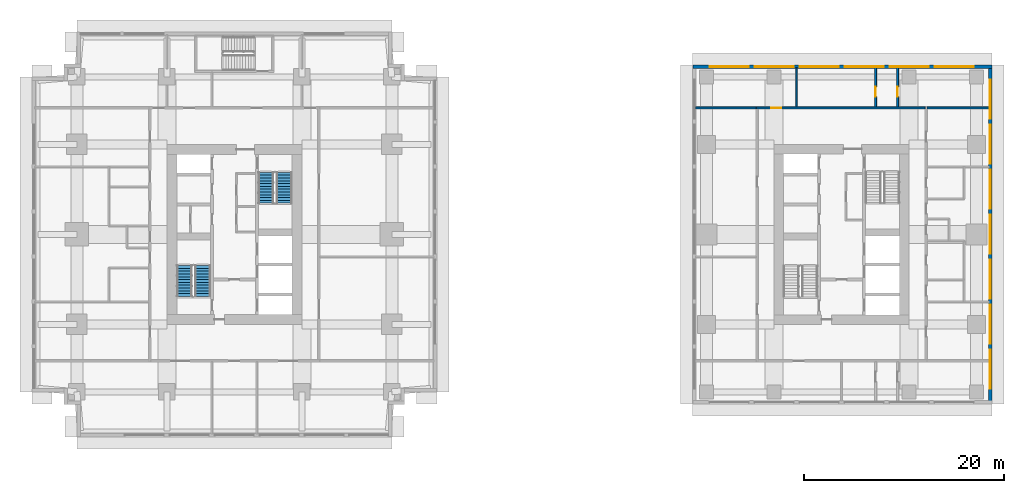
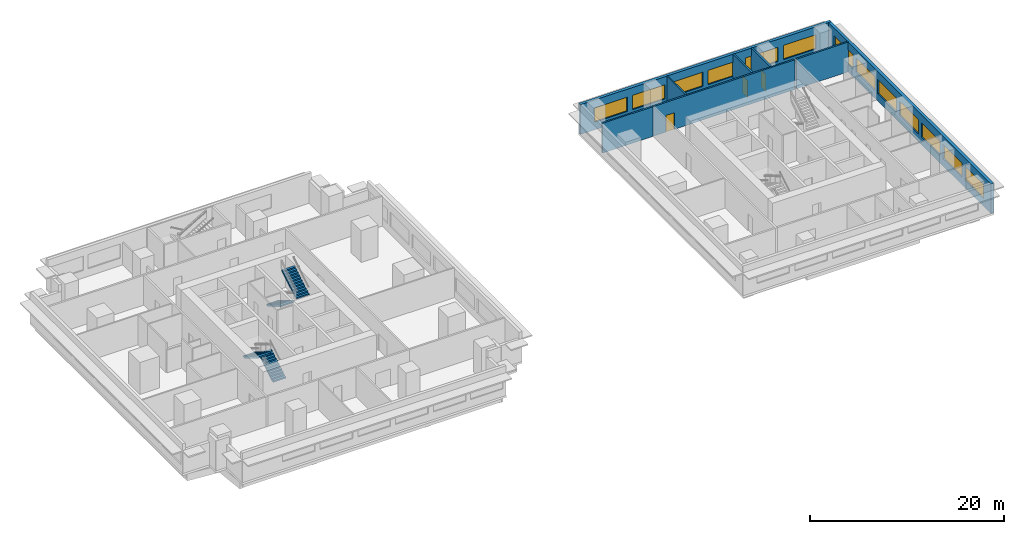
# One storey, part 8 of 11: 13 windows, 8 walls, 4 stair flights, 3 doors, 16 openings, 2 elements without a shape of their own.
"""IFC4 building model written with IfcOpenShell, lengths in metres."""

from ifc_helpers import new_model, si_unit, direction, frame, frame_2d, origin, place, context, subcontext, project, spatial, polyline, rectangle, outline, extrude, material, layer, layer_set, type_object, element, fill, aggregate, save


model = new_model("IFC4")

# Units and contexts
model_context = context("Model", 3, precision=1e-05, world=origin(), true_north=direction((0.0, 1.0)))
body_context = subcontext(model_context, "Body", "Model", "MODEL_VIEW")
ifc_project = project(units=[si_unit("LENGTHUNIT", "METRE"), si_unit("AREAUNIT", "SQUARE_METRE"), si_unit("VOLUMEUNIT", "CUBIC_METRE"), si_unit("PLANEANGLEUNIT", "RADIAN"), si_unit("MASSUNIT", "GRAM", prefix="KILO")], contexts=[model_context])

# Site, building, storey
site_placement = place(None, origin())
site = spatial("IfcSite", under=ifc_project, at=site_placement, CompositionType="ELEMENT")
building_placement = place(site_placement, origin())
building = spatial("IfcBuilding", under=site, at=building_placement, Name="Namib Vertical Campus", CompositionType="ELEMENT")
storey_placement = place(building_placement, frame((0.0, 0.0, 189.0)))
storey = spatial("IfcBuildingStorey", under=building, at=storey_placement, Name="L44", CompositionType="ELEMENT", Elevation=189.0)

# Wall, opening, door
ifc_material_1 = material(Name="Concrete masonry", Category="masonry")
ifc_layer_1 = layer(ifc_material_1, 0.199951171875)
ifc_layer_set_1 = layer_set([ifc_layer_1], Name="Corridor wall 200")
wall_type_1 = type_object("IfcWallType", Name="Corridor wall 200", PredefinedType="SOLIDWALL", material=ifc_layer_set_1)
wall_1_placement = place(storey_placement, frame((89.35009765625, 32.89990234375, 0.0), z_axis=(0.0, 0.0, 1.0), x_axis=(-1.0, 0.0, 0.0)))
wall_1 = element("IfcWall", 1, at=wall_1_placement, inside=storey, type_object=wall_type_1, Name="Corridor wall B L44 CN", PredefinedType="SOLIDWALL", context=body_context, shape_type="SweptSolid", body=[
    extrude(rectangle(XDim=16.900146484375, YDim=0.199951171875, at=frame_2d((8.4501953125, 0.0))), origin(), (0.0, 0.0, 1.0), 3.75),
])
opening_1_placement = place(wall_1_placement, frame((14.375, 0.0, 0.0)))
opening_1 = element("IfcOpeningElement", 2, at=opening_1_placement, cuts=wall_1, Name="Opening CD1", PredefinedType="OPENING", context=body_context, shape_type="SweptSolid", body=[
    extrude(rectangle(XDim=1.0, YDim=2.10009765625, at=frame_2d((0.5, 1.050048828125))), frame((0.0, 0.10986328125, 0.0), z_axis=(0.0, -1.0, 0.0), x_axis=(1.0, 0.0, 0.0)), (0.0, 0.0, 1.0), 0.219970703125),
])
ifc_material_2 = material(Name="Timber fire door leaf", Category="wood")
door_type = type_object("IfcDoorType", Name="Corridor door 1000x2100 20 min", OperationType="SINGLE_SWING_LEFT", PredefinedType="DOOR", material=ifc_material_2)
door_1_placement = place(opening_1_placement, frame((1.0, 0.0, 0.0), z_axis=(0.0, 0.0, 1.0), x_axis=(-1.0, 0.0, 0.0)))
door_1 = element("IfcDoor", 3, at=door_1_placement, inside=storey, type_object=door_type, Name="Door CD1 B44-11", OperationType="SINGLE_SWING_RIGHT", OverallHeight=2.10009765625, OverallWidth=1.0, PredefinedType="DOOR", context=body_context, shape_type="SweptSolid", body=[
    extrude(rectangle(XDim=1.0, YDim=2.10009765625, at=frame_2d((0.5, 1.050048828125))), frame((0.0, 0.02490234375, 0.0), z_axis=(0.0, -1.0, 0.0), x_axis=(1.0, 0.0, 0.0)), (0.0, 0.0, 1.0), 0.050048828125),
])
fill(opening_1, door_1)

wall_2_placement = place(storey_placement, frame((84.39990234375, 33.0, 0.0), z_axis=(0.0, 0.0, 1.0), x_axis=(0.0, 1.0, 0.0)))
wall_2 = element("IfcWall", 4, at=wall_2_placement, inside=storey, type_object=wall_type_1, Name="Corridor wall B L44 SPN1", PredefinedType="SOLIDWALL", context=body_context, shape_type="SweptSolid", body=[
    extrude(rectangle(XDim=3.89990234375, YDim=0.199951171875, at=frame_2d((1.949951171875, 0.0))), origin(), (0.0, 0.0, 1.0), 3.75),
])
opening_2_placement = place(wall_2_placement, frame((1.0, 0.0, 0.0)))
opening_2 = element("IfcOpeningElement", 5, at=opening_2_placement, cuts=wall_2, Name="Opening CD1", PredefinedType="OPENING", context=body_context, shape_type="SweptSolid", body=[
    extrude(rectangle(XDim=1.0, YDim=2.10009765625, at=frame_2d((0.5, 1.050048828125))), frame((0.0, 0.10986328125, 0.0), z_axis=(0.0, -1.0, 0.0), x_axis=(1.0, 0.0, 0.0)), (0.0, 0.0, 1.0), 0.219970703125),
])
door_2_placement = place(opening_2_placement, origin())
door_2 = element("IfcDoor", 6, at=door_2_placement, inside=storey, type_object=door_type, Name="Door CD1 B44-12", OperationType="SINGLE_SWING_LEFT", OverallHeight=2.10009765625, OverallWidth=1.0, PredefinedType="DOOR", context=body_context, shape_type="SweptSolid", body=[
    extrude(rectangle(XDim=1.0, YDim=2.10009765625, at=frame_2d((0.5, 1.050048828125))), frame((0.0, 0.02490234375, 0.0), z_axis=(0.0, -1.0, 0.0), x_axis=(1.0, 0.0, 0.0)), (0.0, 0.0, 1.0), 0.050048828125),
])
fill(opening_2, door_2)

wall_3_placement = place(storey_placement, frame((86.60009765625, 36.89990234375, 0.0), z_axis=(0.0, 0.0, 1.0), x_axis=(0.0, -1.0, 0.0)))
wall_3 = element("IfcWall", 7, at=wall_3_placement, inside=storey, type_object=wall_type_1, Name="Corridor wall B L44 SPN2", PredefinedType="SOLIDWALL", context=body_context, shape_type="SweptSolid", body=[
    extrude(rectangle(XDim=3.89990234375, YDim=0.199951171875, at=frame_2d((1.949951171875, 0.0))), origin(), (0.0, 0.0, 1.0), 3.75),
])
opening_3_placement = place(wall_3_placement, frame((1.89990234375, 0.0, 0.0)))
opening_3 = element("IfcOpeningElement", 8, at=opening_3_placement, cuts=wall_3, Name="Opening CD1", PredefinedType="OPENING", context=body_context, shape_type="SweptSolid", body=[
    extrude(rectangle(XDim=1.0, YDim=2.10009765625, at=frame_2d((0.5, 1.050048828125))), frame((0.0, 0.10986328125, 0.0), z_axis=(0.0, -1.0, 0.0), x_axis=(1.0, 0.0, 0.0)), (0.0, 0.0, 1.0), 0.219970703125),
])
door_3_placement = place(opening_3_placement, origin())
door_3 = element("IfcDoor", 9, at=door_3_placement, inside=storey, type_object=door_type, Name="Door CD1 B44-13", OperationType="SINGLE_SWING_RIGHT", OverallHeight=2.10009765625, OverallWidth=1.0, PredefinedType="DOOR", context=body_context, shape_type="SweptSolid", body=[
    extrude(rectangle(XDim=1.0, YDim=2.10009765625, at=frame_2d((0.5, 1.050048828125))), frame((0.0, 0.02490234375, 0.0), z_axis=(0.0, -1.0, 0.0), x_axis=(1.0, 0.0, 0.0)), (0.0, 0.0, 1.0), 0.050048828125),
])
fill(opening_3, door_3)

# Walls
wall_4_placement = place(storey_placement, frame((66.39990234375, 32.89990234375, 0.0), z_axis=(0.0, 0.0, 1.0), x_axis=(1.0, 0.0, 0.0)))
element("IfcWall", 10, at=wall_4_placement, inside=storey, type_object=wall_type_1, Name="Partition B L44 BNW", PredefinedType="SOLIDWALL", context=body_context, shape_type="SweptSolid", body=[
    extrude(rectangle(XDim=6.050048828125, YDim=0.199951171875, at=frame_2d((3.02490234375, 0.0))), origin(), (0.0, 0.0, 1.0), 3.75),
])
wall_5_placement = place(storey_placement, frame((89.550048828125, 32.89990234375, 0.0), z_axis=(0.0, 0.0, 1.0), x_axis=(1.0, 0.0, 0.0)))
element("IfcWall", 11, at=wall_5_placement, inside=storey, type_object=wall_type_1, Name="Partition B L44 BNE", PredefinedType="SOLIDWALL", context=body_context, shape_type="SweptSolid", body=[
    extrude(rectangle(XDim=6.199951171875, YDim=0.199951171875, at=frame_2d((3.10009765625, 0.0))), origin(), (0.0, 0.0, 1.0), 3.75),
])

# Wall, openings, windows
ifc_material_3 = material(Name="Concrete C40/50", Category="concrete")
ifc_layer_2 = layer(ifc_material_3, 0.35009765625)
ifc_layer_set_2 = layer_set([ifc_layer_2], Name="Concrete C40/50")
wall_type_2 = type_object("IfcWallType", Name="External wall 350 bush-hammered concrete", PredefinedType="STANDARD", material=ifc_layer_set_2)
wall_6_placement = place(storey_placement, frame((95.875, 3.320068359375, 0.0), z_axis=(0.0, 0.0, 1.0), x_axis=(0.0, 1.0, 0.0)))
wall_6 = element("IfcWall", 12, at=wall_6_placement, inside=storey, type_object=wall_type_2, Name="External wall L44 F02", PredefinedType="STANDARD", context=body_context, shape_type="SweptSolid", body=[
    extrude(rectangle(XDim=33.85986328125, YDim=0.35009765625, at=frame_2d((16.929931640625, 0.0))), origin(), (0.0, 0.0, 1.0), 3.75),
])
opening_4_placement = place(wall_6_placement, frame((1.47998046875, 0.0, 0.949951171875)))
opening_4 = element("IfcOpeningElement", 13, at=opening_4_placement, cuts=wall_6, Name="Opening W3", PredefinedType="OPENING", context=body_context, shape_type="SweptSolid", body=[
    extrude(rectangle(XDim=3.89990234375, YDim=1.800048828125, at=frame_2d((1.949951171875, 0.89990234375))), frame((0.0, 0.18505859375, 0.0), z_axis=(0.0, -1.0, 0.0), x_axis=(1.0, 0.0, 0.0)), (0.0, 0.0, 1.0), 0.3701171875),
])
opening_5_placement = place(wall_6_placement, frame((5.97998046875, 0.0, 0.949951171875)))
opening_5 = element("IfcOpeningElement", 14, at=opening_5_placement, cuts=wall_6, Name="Opening W3", PredefinedType="OPENING", context=body_context, shape_type="SweptSolid", body=[
    extrude(rectangle(XDim=3.89990234375, YDim=1.800048828125, at=frame_2d((1.949951171875, 0.89990234375))), frame((0.0, 0.18505859375, 0.0), z_axis=(0.0, -1.0, 0.0), x_axis=(1.0, 0.0, 0.0)), (0.0, 0.0, 1.0), 0.3701171875),
])
opening_6_placement = place(wall_6_placement, frame((10.47998046875, 0.0, 0.949951171875)))
opening_6 = element("IfcOpeningElement", 15, at=opening_6_placement, cuts=wall_6, Name="Opening W3", PredefinedType="OPENING", context=body_context, shape_type="SweptSolid", body=[
    extrude(rectangle(XDim=3.89990234375, YDim=1.800048828125, at=frame_2d((1.949951171875, 0.89990234375))), frame((0.0, 0.18505859375, 0.0), z_axis=(0.0, -1.0, 0.0), x_axis=(1.0, 0.0, 0.0)), (0.0, 0.0, 1.0), 0.3701171875),
])
opening_7_placement = place(wall_6_placement, frame((14.97998046875, 0.0, 0.949951171875)))
opening_7 = element("IfcOpeningElement", 16, at=opening_7_placement, cuts=wall_6, Name="Opening W3", PredefinedType="OPENING", context=body_context, shape_type="SweptSolid", body=[
    extrude(rectangle(XDim=3.89990234375, YDim=1.800048828125, at=frame_2d((1.949951171875, 0.89990234375))), frame((0.0, 0.18505859375, 0.0), z_axis=(0.0, -1.0, 0.0), x_axis=(1.0, 0.0, 0.0)), (0.0, 0.0, 1.0), 0.3701171875),
])
opening_8_placement = place(wall_6_placement, frame((19.47998046875, 0.0, 0.949951171875)))
opening_8 = element("IfcOpeningElement", 17, at=opening_8_placement, cuts=wall_6, Name="Opening W3", PredefinedType="OPENING", context=body_context, shape_type="SweptSolid", body=[
    extrude(rectangle(XDim=3.89990234375, YDim=1.800048828125, at=frame_2d((1.949951171875, 0.89990234375))), frame((0.0, 0.18505859375, 0.0), z_axis=(0.0, -1.0, 0.0), x_axis=(1.0, 0.0, 0.0)), (0.0, 0.0, 1.0), 0.3701171875),
])
opening_9_placement = place(wall_6_placement, frame((23.97998046875, 0.0, 0.949951171875)))
opening_9 = element("IfcOpeningElement", 18, at=opening_9_placement, cuts=wall_6, Name="Opening W3", PredefinedType="OPENING", context=body_context, shape_type="SweptSolid", body=[
    extrude(rectangle(XDim=3.89990234375, YDim=1.800048828125, at=frame_2d((1.949951171875, 0.89990234375))), frame((0.0, 0.18505859375, 0.0), z_axis=(0.0, -1.0, 0.0), x_axis=(1.0, 0.0, 0.0)), (0.0, 0.0, 1.0), 0.3701171875),
])
opening_10_placement = place(wall_6_placement, frame((28.47998046875, 0.0, 0.949951171875)))
opening_10 = element("IfcOpeningElement", 19, at=opening_10_placement, cuts=wall_6, Name="Opening W3", PredefinedType="OPENING", context=body_context, shape_type="SweptSolid", body=[
    extrude(rectangle(XDim=3.89990234375, YDim=1.800048828125, at=frame_2d((1.949951171875, 0.89990234375))), frame((0.0, 0.18505859375, 0.0), z_axis=(0.0, -1.0, 0.0), x_axis=(1.0, 0.0, 0.0)), (0.0, 0.0, 1.0), 0.3701171875),
])
ifc_material_4 = material(Name="Dark tinted glass in black aluminium frame", Category="aluminium")
window_type = type_object("IfcWindowType", Name="Ribbon window 3900x1800", PartitioningType="SINGLE_PANEL", PredefinedType="WINDOW", material=ifc_material_4)
window_1_placement = place(opening_4_placement, origin())
window_1 = element("IfcWindow", 20, at=window_1_placement, inside=storey, type_object=window_type, Name="Window W3 L44 F02-1", OverallHeight=1.800048828125, OverallWidth=3.89990234375, PartitioningType="SINGLE_PANEL", PredefinedType="WINDOW", context=body_context, shape_type="SweptSolid", body=[
    extrude(rectangle(XDim=3.89990234375, YDim=1.800048828125, at=frame_2d((1.949951171875, 0.89990234375))), frame((0.0, 0.030029296875, 0.0), z_axis=(0.0, -1.0, 0.0), x_axis=(1.0, 0.0, 0.0)), (0.0, 0.0, 1.0), 0.06005859375),
])
fill(opening_4, window_1)
window_2_placement = place(opening_5_placement, origin())
window_2 = element("IfcWindow", 21, at=window_2_placement, inside=storey, type_object=window_type, Name="Window W3 L44 F02-2", OverallHeight=1.800048828125, OverallWidth=3.89990234375, PartitioningType="SINGLE_PANEL", PredefinedType="WINDOW", context=body_context, shape_type="SweptSolid", body=[
    extrude(rectangle(XDim=3.89990234375, YDim=1.800048828125, at=frame_2d((1.949951171875, 0.89990234375))), frame((0.0, 0.030029296875, 0.0), z_axis=(0.0, -1.0, 0.0), x_axis=(1.0, 0.0, 0.0)), (0.0, 0.0, 1.0), 0.06005859375),
])
fill(opening_5, window_2)
window_3_placement = place(opening_6_placement, origin())
window_3 = element("IfcWindow", 22, at=window_3_placement, inside=storey, type_object=window_type, Name="Window W3 L44 F02-3", OverallHeight=1.800048828125, OverallWidth=3.89990234375, PartitioningType="SINGLE_PANEL", PredefinedType="WINDOW", context=body_context, shape_type="SweptSolid", body=[
    extrude(rectangle(XDim=3.89990234375, YDim=1.800048828125, at=frame_2d((1.949951171875, 0.89990234375))), frame((0.0, 0.030029296875, 0.0), z_axis=(0.0, -1.0, 0.0), x_axis=(1.0, 0.0, 0.0)), (0.0, 0.0, 1.0), 0.06005859375),
])
fill(opening_6, window_3)
window_4_placement = place(opening_7_placement, origin())
window_4 = element("IfcWindow", 23, at=window_4_placement, inside=storey, type_object=window_type, Name="Window W3 L44 F02-4", OverallHeight=1.800048828125, OverallWidth=3.89990234375, PartitioningType="SINGLE_PANEL", PredefinedType="WINDOW", context=body_context, shape_type="SweptSolid", body=[
    extrude(rectangle(XDim=3.89990234375, YDim=1.800048828125, at=frame_2d((1.949951171875, 0.89990234375))), frame((0.0, 0.030029296875, 0.0), z_axis=(0.0, -1.0, 0.0), x_axis=(1.0, 0.0, 0.0)), (0.0, 0.0, 1.0), 0.06005859375),
])
fill(opening_7, window_4)
window_5_placement = place(opening_8_placement, origin())
window_5 = element("IfcWindow", 24, at=window_5_placement, inside=storey, type_object=window_type, Name="Window W3 L44 F02-5", OverallHeight=1.800048828125, OverallWidth=3.89990234375, PartitioningType="SINGLE_PANEL", PredefinedType="WINDOW", context=body_context, shape_type="SweptSolid", body=[
    extrude(rectangle(XDim=3.89990234375, YDim=1.800048828125, at=frame_2d((1.949951171875, 0.89990234375))), frame((0.0, 0.030029296875, 0.0), z_axis=(0.0, -1.0, 0.0), x_axis=(1.0, 0.0, 0.0)), (0.0, 0.0, 1.0), 0.06005859375),
])
fill(opening_8, window_5)
window_6_placement = place(opening_9_placement, origin())
window_6 = element("IfcWindow", 25, at=window_6_placement, inside=storey, type_object=window_type, Name="Window W3 L44 F02-6", OverallHeight=1.800048828125, OverallWidth=3.89990234375, PartitioningType="SINGLE_PANEL", PredefinedType="WINDOW", context=body_context, shape_type="SweptSolid", body=[
    extrude(rectangle(XDim=3.89990234375, YDim=1.800048828125, at=frame_2d((1.949951171875, 0.89990234375))), frame((0.0, 0.030029296875, 0.0), z_axis=(0.0, -1.0, 0.0), x_axis=(1.0, 0.0, 0.0)), (0.0, 0.0, 1.0), 0.06005859375),
])
fill(opening_9, window_6)
window_7_placement = place(opening_10_placement, origin())
window_7 = element("IfcWindow", 26, at=window_7_placement, inside=storey, type_object=window_type, Name="Window W3 L44 F02-7", OverallHeight=1.800048828125, OverallWidth=3.89990234375, PartitioningType="SINGLE_PANEL", PredefinedType="WINDOW", context=body_context, shape_type="SweptSolid", body=[
    extrude(rectangle(XDim=3.89990234375, YDim=1.800048828125, at=frame_2d((1.949951171875, 0.89990234375))), frame((0.0, 0.030029296875, 0.0), z_axis=(0.0, -1.0, 0.0), x_axis=(1.0, 0.0, 0.0)), (0.0, 0.0, 1.0), 0.06005859375),
])
fill(opening_10, window_7)

wall_7_placement = place(storey_placement, frame((96.030029296875, 37.02490234375, 0.0), z_axis=(0.0, 0.0, 1.0), x_axis=(-1.0, 0.0, 0.0)))
wall_7 = element("IfcWall", 27, at=wall_7_placement, inside=storey, type_object=wall_type_2, Name="External wall L44 F03", PredefinedType="STANDARD", context=body_context, shape_type="SweptSolid", body=[
    extrude(rectangle(XDim=29.909912109375, YDim=0.35009765625, at=frame_2d((14.955078125, 0.0))), origin(), (0.0, 0.0, 1.0), 3.75),
])
opening_11_placement = place(wall_7_placement, frame((24.330078125, 0.0, 0.949951171875)))
opening_11 = element("IfcOpeningElement", 28, at=opening_11_placement, cuts=wall_7, Name="Opening W3", PredefinedType="OPENING", context=body_context, shape_type="SweptSolid", body=[
    extrude(rectangle(XDim=3.89990234375, YDim=1.800048828125, at=frame_2d((1.949951171875, 0.89990234375))), frame((0.0, 0.18505859375, 0.0), z_axis=(0.0, -1.0, 0.0), x_axis=(1.0, 0.0, 0.0)), (0.0, 0.0, 1.0), 0.3701171875),
])
opening_12_placement = place(wall_7_placement, frame((19.830078125, 0.0, 0.949951171875)))
opening_12 = element("IfcOpeningElement", 29, at=opening_12_placement, cuts=wall_7, Name="Opening W3", PredefinedType="OPENING", context=body_context, shape_type="SweptSolid", body=[
    extrude(rectangle(XDim=3.89990234375, YDim=1.800048828125, at=frame_2d((1.949951171875, 0.89990234375))), frame((0.0, 0.18505859375, 0.0), z_axis=(0.0, -1.0, 0.0), x_axis=(1.0, 0.0, 0.0)), (0.0, 0.0, 1.0), 0.3701171875),
])
opening_13_placement = place(wall_7_placement, frame((15.330078125, 0.0, 0.949951171875)))
opening_13 = element("IfcOpeningElement", 30, at=opening_13_placement, cuts=wall_7, Name="Opening W3", PredefinedType="OPENING", context=body_context, shape_type="SweptSolid", body=[
    extrude(rectangle(XDim=3.89990234375, YDim=1.800048828125, at=frame_2d((1.949951171875, 0.89990234375))), frame((0.0, 0.18505859375, 0.0), z_axis=(0.0, -1.0, 0.0), x_axis=(1.0, 0.0, 0.0)), (0.0, 0.0, 1.0), 0.3701171875),
])
opening_14_placement = place(wall_7_placement, frame((10.830078125, 0.0, 0.949951171875)))
opening_14 = element("IfcOpeningElement", 31, at=opening_14_placement, cuts=wall_7, Name="Opening W3", PredefinedType="OPENING", context=body_context, shape_type="SweptSolid", body=[
    extrude(rectangle(XDim=3.89990234375, YDim=1.800048828125, at=frame_2d((1.949951171875, 0.89990234375))), frame((0.0, 0.18505859375, 0.0), z_axis=(0.0, -1.0, 0.0), x_axis=(1.0, 0.0, 0.0)), (0.0, 0.0, 1.0), 0.3701171875),
])
opening_15_placement = place(wall_7_placement, frame((6.330078125, 0.0, 0.949951171875)))
opening_15 = element("IfcOpeningElement", 32, at=opening_15_placement, cuts=wall_7, Name="Opening W3", PredefinedType="OPENING", context=body_context, shape_type="SweptSolid", body=[
    extrude(rectangle(XDim=3.89990234375, YDim=1.800048828125, at=frame_2d((1.949951171875, 0.89990234375))), frame((0.0, 0.18505859375, 0.0), z_axis=(0.0, -1.0, 0.0), x_axis=(1.0, 0.0, 0.0)), (0.0, 0.0, 1.0), 0.3701171875),
])
opening_16_placement = place(wall_7_placement, frame((1.830078125, 0.0, 0.949951171875)))
opening_16 = element("IfcOpeningElement", 33, at=opening_16_placement, cuts=wall_7, Name="Opening W3", PredefinedType="OPENING", context=body_context, shape_type="SweptSolid", body=[
    extrude(rectangle(XDim=3.89990234375, YDim=1.800048828125, at=frame_2d((1.949951171875, 0.89990234375))), frame((0.0, 0.18505859375, 0.0), z_axis=(0.0, -1.0, 0.0), x_axis=(1.0, 0.0, 0.0)), (0.0, 0.0, 1.0), 0.3701171875),
])
window_8_placement = place(opening_11_placement, origin())
window_8 = element("IfcWindow", 34, at=window_8_placement, inside=storey, type_object=window_type, Name="Window W3 L44 F03-1", OverallHeight=1.800048828125, OverallWidth=3.89990234375, PartitioningType="SINGLE_PANEL", PredefinedType="WINDOW", context=body_context, shape_type="SweptSolid", body=[
    extrude(rectangle(XDim=3.89990234375, YDim=1.800048828125, at=frame_2d((1.949951171875, 0.89990234375))), frame((0.0, 0.030029296875, 0.0), z_axis=(0.0, -1.0, 0.0), x_axis=(1.0, 0.0, 0.0)), (0.0, 0.0, 1.0), 0.06005859375),
])
fill(opening_11, window_8)
window_9_placement = place(opening_12_placement, origin())
window_9 = element("IfcWindow", 35, at=window_9_placement, inside=storey, type_object=window_type, Name="Window W3 L44 F03-2", OverallHeight=1.800048828125, OverallWidth=3.89990234375, PartitioningType="SINGLE_PANEL", PredefinedType="WINDOW", context=body_context, shape_type="SweptSolid", body=[
    extrude(rectangle(XDim=3.89990234375, YDim=1.800048828125, at=frame_2d((1.949951171875, 0.89990234375))), frame((0.0, 0.030029296875, 0.0), z_axis=(0.0, -1.0, 0.0), x_axis=(1.0, 0.0, 0.0)), (0.0, 0.0, 1.0), 0.06005859375),
])
fill(opening_12, window_9)
window_10_placement = place(opening_13_placement, origin())
window_10 = element("IfcWindow", 36, at=window_10_placement, inside=storey, type_object=window_type, Name="Window W3 L44 F03-3", OverallHeight=1.800048828125, OverallWidth=3.89990234375, PartitioningType="SINGLE_PANEL", PredefinedType="WINDOW", context=body_context, shape_type="SweptSolid", body=[
    extrude(rectangle(XDim=3.89990234375, YDim=1.800048828125, at=frame_2d((1.949951171875, 0.89990234375))), frame((0.0, 0.030029296875, 0.0), z_axis=(0.0, -1.0, 0.0), x_axis=(1.0, 0.0, 0.0)), (0.0, 0.0, 1.0), 0.06005859375),
])
fill(opening_13, window_10)
window_11_placement = place(opening_14_placement, origin())
window_11 = element("IfcWindow", 37, at=window_11_placement, inside=storey, type_object=window_type, Name="Window W3 L44 F03-4", OverallHeight=1.800048828125, OverallWidth=3.89990234375, PartitioningType="SINGLE_PANEL", PredefinedType="WINDOW", context=body_context, shape_type="SweptSolid", body=[
    extrude(rectangle(XDim=3.89990234375, YDim=1.800048828125, at=frame_2d((1.949951171875, 0.89990234375))), frame((0.0, 0.030029296875, 0.0), z_axis=(0.0, -1.0, 0.0), x_axis=(1.0, 0.0, 0.0)), (0.0, 0.0, 1.0), 0.06005859375),
])
fill(opening_14, window_11)
window_12_placement = place(opening_15_placement, origin())
window_12 = element("IfcWindow", 38, at=window_12_placement, inside=storey, type_object=window_type, Name="Window W3 L44 F03-5", OverallHeight=1.800048828125, OverallWidth=3.89990234375, PartitioningType="SINGLE_PANEL", PredefinedType="WINDOW", context=body_context, shape_type="SweptSolid", body=[
    extrude(rectangle(XDim=3.89990234375, YDim=1.800048828125, at=frame_2d((1.949951171875, 0.89990234375))), frame((0.0, 0.030029296875, 0.0), z_axis=(0.0, -1.0, 0.0), x_axis=(1.0, 0.0, 0.0)), (0.0, 0.0, 1.0), 0.06005859375),
])
fill(opening_15, window_12)
window_13_placement = place(opening_16_placement, origin())
window_13 = element("IfcWindow", 39, at=window_13_placement, inside=storey, type_object=window_type, Name="Window W3 L44 F03-6", OverallHeight=1.800048828125, OverallWidth=3.89990234375, PartitioningType="SINGLE_PANEL", PredefinedType="WINDOW", context=body_context, shape_type="SweptSolid", body=[
    extrude(rectangle(XDim=3.89990234375, YDim=1.800048828125, at=frame_2d((1.949951171875, 0.89990234375))), frame((0.0, 0.030029296875, 0.0), z_axis=(0.0, -1.0, 0.0), x_axis=(1.0, 0.0, 0.0)), (0.0, 0.0, 1.0), 0.06005859375),
])
fill(opening_16, window_13)

# Wall
ifc_material_5 = material(Name="Gypsum board on steel studs", Category="steel")
ifc_layer_3 = layer(ifc_material_5, 0.14990234375)
ifc_layer_set_3 = layer_set([ifc_layer_3], Name="Gypsum board on steel studs")
wall_type_3 = type_object("IfcWallType", Name="Partition 150", PredefinedType="PARTITIONING", material=ifc_layer_set_3)
wall_8_placement = place(storey_placement, frame((76.5, 33.0, 0.0), z_axis=(0.0, 0.0, 1.0), x_axis=(0.0, 1.0, 0.0)))
element("IfcWall", 40, at=wall_8_placement, inside=storey, type_object=wall_type_3, Name="Partition B L44 PN1", PredefinedType="PARTITIONING", context=body_context, shape_type="SweptSolid", body=[
    extrude(rectangle(XDim=3.89990234375, YDim=0.14990234375, at=frame_2d((1.949951171875, 0.0))), origin(), (0.0, 0.0, 1.0), 3.75),
])

# Stair, stair flights
ifc_material_6 = material(Name="Concrete C40/50 precast", Category="concrete")
stair_type = type_object("IfcStairType", Name="Exit stair 4000 rise 24 risers 3350 wide", PredefinedType="HALF_TURN_STAIR", material=ifc_material_6)
stair_1_placement = place(storey_placement, origin())
stair_1 = element("IfcStair", 41, at=stair_1_placement, inside=storey, type_object=stair_type, Name="Exit stair A-S1 L44", PredefinedType="HALF_TURN_STAIR")
ifc_material_7 = material(Name="Concrete C40/50 precast", Category="concrete")
stair_flight_type = type_object("IfcStairFlightType", Name="Stair flight 12 risers 167 1525 wide", PredefinedType="STRAIGHT", material=ifc_material_7)
stair_flight_1_placement = place(storey_placement, frame((17.08740234375, 14.050048828125, 0.0), z_axis=(0.0, 0.0, 1.0), x_axis=(0.0, 1.0, 0.0)))
stair_flight_1 = element("IfcStairFlight", 42, at=stair_flight_1_placement, type_object=stair_flight_type, Name="A-S1 flight 1", NumberOfRisers=12, NumberOfTreads=11, PredefinedType="STRAIGHT", RiserHeight=0.166666667, TreadLength=0.28, context=body_context, shape_type="SweptSolid", body=[
    extrude(outline(polyline([(0.0, 0.0), (0.0, 0.166748046875), (0.280029296875, 0.166748046875), (0.280029296875, 0.333251953125), (0.56005859375, 0.333251953125), (0.56005859375, 0.5), (0.840087890625, 0.5), (0.840087890625, 0.666748046875), (1.1201171875, 0.666748046875), (1.1201171875, 0.833251953125), (1.39990234375, 0.833251953125), (1.39990234375, 1.0), (1.679931640625, 1.0), (1.679931640625, 1.166748046875), (1.9599609375, 1.166748046875), (1.9599609375, 1.333251953125), (2.239990234375, 1.333251953125), (2.239990234375, 1.5), (2.52001953125, 1.5), (2.52001953125, 1.666748046875), (2.800048828125, 1.666748046875), (2.800048828125, 1.833251953125), (3.080078125, 1.833251953125), (3.080078125, 2.0), (3.080078125, 1.658935546875), (0.29296875, 0.0), (0.0, 0.0)])), frame((0.0, 0.762451171875, 0.0), z_axis=(0.0, -1.0, 0.0), x_axis=(1.0, 0.0, 0.0)), (0.0, 0.0, 1.0), 1.52490234375),
])
stair_flight_2_placement = place(storey_placement, frame((15.262451171875, 17.1298828125, 2.0), z_axis=(0.0, 0.0, 1.0), x_axis=(0.0, -1.0, 0.0)))
stair_flight_2 = element("IfcStairFlight", 43, at=stair_flight_2_placement, type_object=stair_flight_type, Name="A-S1 flight 2", NumberOfRisers=12, NumberOfTreads=11, PredefinedType="STRAIGHT", RiserHeight=0.166666667, TreadLength=0.28, context=body_context, shape_type="SweptSolid", body=[
    extrude(outline(polyline([(0.0, 0.0), (0.0, 0.166748046875), (0.280029296875, 0.166748046875), (0.280029296875, 0.333251953125), (0.56005859375, 0.333251953125), (0.56005859375, 0.5), (0.840087890625, 0.5), (0.840087890625, 0.666748046875), (1.1201171875, 0.666748046875), (1.1201171875, 0.833251953125), (1.39990234375, 0.833251953125), (1.39990234375, 1.0), (1.679931640625, 1.0), (1.679931640625, 1.166748046875), (1.9599609375, 1.166748046875), (1.9599609375, 1.333251953125), (2.239990234375, 1.333251953125), (2.239990234375, 1.5), (2.52001953125, 1.5), (2.52001953125, 1.666748046875), (2.800048828125, 1.666748046875), (2.800048828125, 1.833251953125), (3.080078125, 1.833251953125), (3.080078125, 2.0), (3.080078125, 1.658935546875), (0.29296875, 0.0), (0.0, 0.0)])), frame((0.0, 0.762451171875, 0.0), z_axis=(0.0, -1.0, 0.0), x_axis=(1.0, 0.0, 0.0)), (0.0, 0.0, 1.0), 1.52490234375),
])
aggregate(stair_1, [stair_flight_1, stair_flight_2])

stair_2_placement = place(storey_placement, origin())
stair_2 = element("IfcStair", 44, at=stair_2_placement, inside=storey, type_object=stair_type, Name="Exit stair A-S2 L44", PredefinedType="HALF_TURN_STAIR")
stair_flight_3_placement = place(storey_placement, frame((23.41259765625, 26.449951171875, 0.0), z_axis=(0.0, 0.0, 1.0), x_axis=(0.0, -1.0, 0.0)))
stair_flight_3 = element("IfcStairFlight", 45, at=stair_flight_3_placement, type_object=stair_flight_type, Name="A-S2 flight 1", NumberOfRisers=12, NumberOfTreads=11, PredefinedType="STRAIGHT", RiserHeight=0.166666667, TreadLength=0.28, context=body_context, shape_type="SweptSolid", body=[
    extrude(outline(polyline([(0.0, 0.0), (0.0, 0.166748046875), (0.280029296875, 0.166748046875), (0.280029296875, 0.333251953125), (0.56005859375, 0.333251953125), (0.56005859375, 0.5), (0.840087890625, 0.5), (0.840087890625, 0.666748046875), (1.1201171875, 0.666748046875), (1.1201171875, 0.833251953125), (1.39990234375, 0.833251953125), (1.39990234375, 1.0), (1.679931640625, 1.0), (1.679931640625, 1.166748046875), (1.9599609375, 1.166748046875), (1.9599609375, 1.333251953125), (2.239990234375, 1.333251953125), (2.239990234375, 1.5), (2.52001953125, 1.5), (2.52001953125, 1.666748046875), (2.800048828125, 1.666748046875), (2.800048828125, 1.833251953125), (3.080078125, 1.833251953125), (3.080078125, 2.0), (3.080078125, 1.658935546875), (0.29296875, 0.0), (0.0, 0.0)])), frame((0.0, 0.762451171875, 0.0), z_axis=(0.0, -1.0, 0.0), x_axis=(1.0, 0.0, 0.0)), (0.0, 0.0, 1.0), 1.52490234375),
])
stair_flight_4_placement = place(storey_placement, frame((25.237548828125, 23.3701171875, 2.0), z_axis=(0.0, 0.0, 1.0), x_axis=(0.0, 1.0, 0.0)))
stair_flight_4 = element("IfcStairFlight", 46, at=stair_flight_4_placement, type_object=stair_flight_type, Name="A-S2 flight 2", NumberOfRisers=12, NumberOfTreads=11, PredefinedType="STRAIGHT", RiserHeight=0.166666667, TreadLength=0.28, context=body_context, shape_type="SweptSolid", body=[
    extrude(outline(polyline([(0.0, 0.0), (0.0, 0.166748046875), (0.280029296875, 0.166748046875), (0.280029296875, 0.333251953125), (0.56005859375, 0.333251953125), (0.56005859375, 0.5), (0.840087890625, 0.5), (0.840087890625, 0.666748046875), (1.1201171875, 0.666748046875), (1.1201171875, 0.833251953125), (1.39990234375, 0.833251953125), (1.39990234375, 1.0), (1.679931640625, 1.0), (1.679931640625, 1.166748046875), (1.9599609375, 1.166748046875), (1.9599609375, 1.333251953125), (2.239990234375, 1.333251953125), (2.239990234375, 1.5), (2.52001953125, 1.5), (2.52001953125, 1.666748046875), (2.800048828125, 1.666748046875), (2.800048828125, 1.833251953125), (3.080078125, 1.833251953125), (3.080078125, 2.0), (3.080078125, 1.658935546875), (0.29296875, 0.0), (0.0, 0.0)])), frame((0.0, 0.762451171875, 0.0), z_axis=(0.0, -1.0, 0.0), x_axis=(1.0, 0.0, 0.0)), (0.0, 0.0, 1.0), 1.52490234375),
])
aggregate(stair_2, [stair_flight_3, stair_flight_4])

save(model, "model.ifc")
